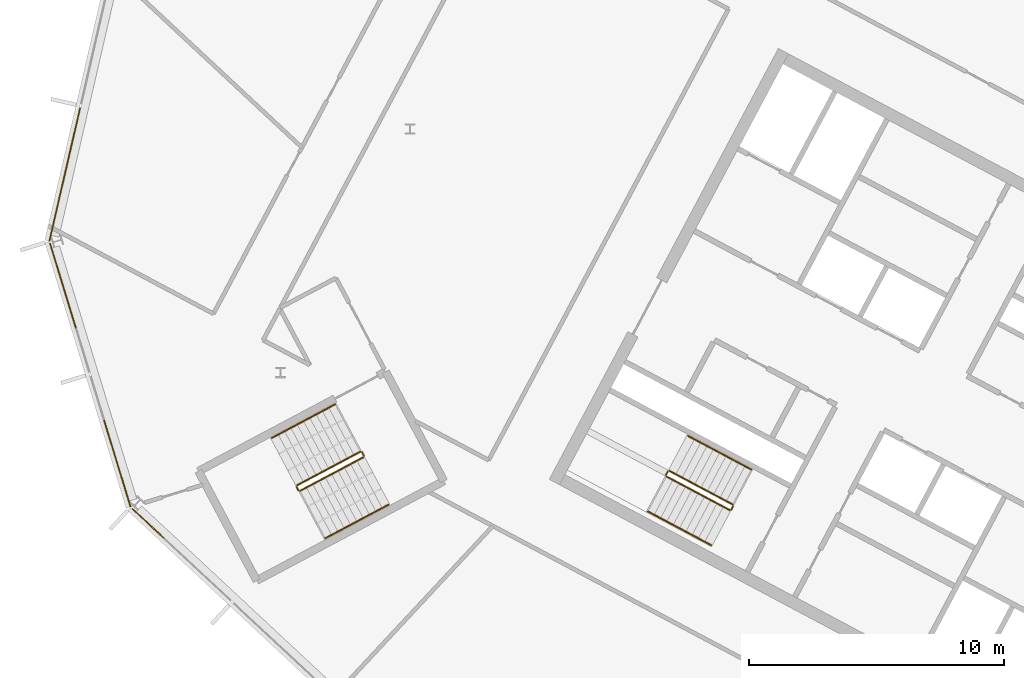
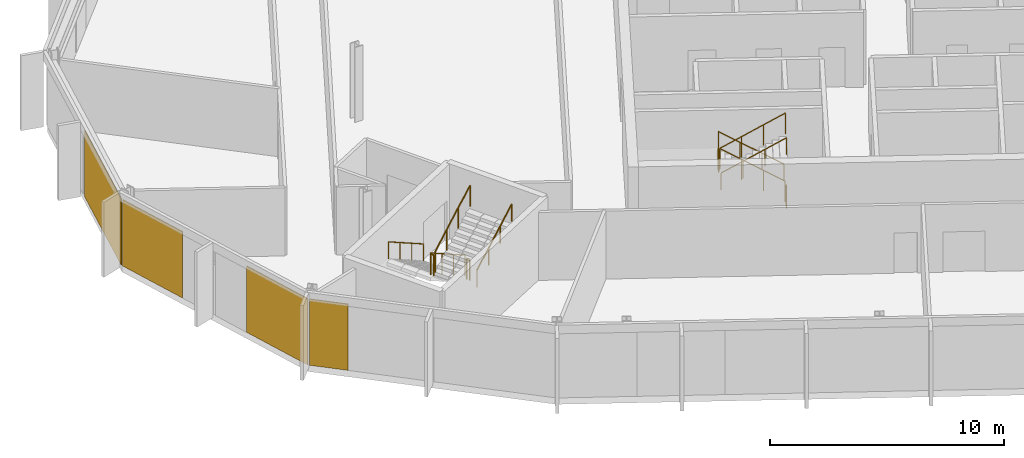
# One storey, part 21 of 26: 12 railings, 4 coverings, 3 elements without a shape of their own.
"""IFC4 building model written with IfcOpenShell, lengths in metres."""

from ifc_helpers import new_model, si_unit, direction, frame, origin, origin_2d, place, context, subcontext, project, spatial, polyline, rectangle, outline, extrude, material, layer, layer_set, type_object, element, aggregate, save


model = new_model("IFC4")

# Units and contexts
model_context = context("Model", 3, precision=1e-05, world=origin(), true_north=direction((0.0, 1.0)))
body_context = subcontext(model_context, "Body", "Model", "MODEL_VIEW")
ifc_project = project(units=[si_unit("LENGTHUNIT", "METRE"), si_unit("AREAUNIT", "SQUARE_METRE"), si_unit("VOLUMEUNIT", "CUBIC_METRE"), si_unit("PLANEANGLEUNIT", "RADIAN"), si_unit("MASSUNIT", "GRAM", prefix="KILO")], contexts=[model_context])

# Site, building, storey
site_placement = place(None, origin())
site = spatial("IfcSite", under=ifc_project, at=site_placement, CompositionType="ELEMENT")
building_placement = place(site_placement, origin())
building = spatial("IfcBuilding", under=site, at=building_placement, Name="Cormorant Relay Tower", CompositionType="ELEMENT")
storey_placement = place(building_placement, frame((0.0, 0.0, 277.5)))
storey = spatial("IfcBuildingStorey", under=building, at=storey_placement, Name="L62", CompositionType="ELEMENT", Elevation=277.5)

# Curtain wall, covering
ifc_material_1 = material(Name="Aluminium 6063-T6 anodised bronze", Category="aluminium")
ifc_layer_1 = layer(ifc_material_1, 0.199951171875)
ifc_layer_set_1 = layer_set([ifc_layer_1], Name="CW1 unitised bronze curtain wall with vertical fins")
curtain_wall_type = type_object("IfcCurtainWallType", Name="CW1 unitised bronze curtain wall with vertical fins", PredefinedType="NOTDEFINED", material=ifc_layer_set_1)
curtain_wall_1_placement = place(storey_placement, origin())
curtain_wall_1 = element("IfcCurtainWall", 1, at=curtain_wall_1_placement, inside=storey, type_object=curtain_wall_type, Name="CW1 curtain wall 13", PredefinedType="NOTDEFINED")
ifc_material_2 = material(Name="Pale bronze anodised aluminium insulated panel", Category="aluminium")
ifc_layer_2 = layer(ifc_material_2, 0.0400390625)
ifc_layer_set_2 = layer_set([ifc_layer_2], Name="CW1 pale bronze insulated panel 40")
covering_type = type_object("IfcCoveringType", Name="CW1 pale bronze insulated panel 40", PredefinedType="CLADDING", material=ifc_layer_set_2)
covering_1_placement = place(storey_placement, frame((-60.136474609375, 23.00927734375, 0.0), z_axis=(0.0, 0.0, 1.0), x_axis=(-0.224951054344, -0.974370064785, 0.0)))
covering_1 = element("IfcCovering", 2, at=covering_1_placement, type_object=covering_type, Name="CW1 panel S01", PredefinedType="CLADDING", context=body_context, shape_type="SweptSolid", body=[
    extrude(rectangle(XDim=5.360107421875, YDim=0.0400390625, at=origin_2d()), origin(), (0.0, 0.0, 1.0), 3.449951171875),
])
aggregate(curtain_wall_1, [covering_1])

# Curtain wall, coverings
curtain_wall_2_placement = place(storey_placement, origin())
curtain_wall_2 = element("IfcCurtainWall", 3, at=curtain_wall_2_placement, inside=storey, type_object=curtain_wall_type, Name="CW1 curtain wall 14", PredefinedType="NOTDEFINED")
covering_2_placement = place(storey_placement, frame((-60.20751953125, 18.6494140625, 0.0), z_axis=(0.0, 0.0, 1.0), x_axis=(0.292371704723, -0.956304755963, 0.0)))
covering_2 = element("IfcCovering", 4, at=covering_2_placement, type_object=covering_type, Name="CW1 panel S00", PredefinedType="CLADDING", context=body_context, shape_type="SweptSolid", body=[
    extrude(rectangle(XDim=3.485107421875, YDim=0.0400390625, at=origin_2d()), origin(), (0.0, 0.0, 1.0), 3.449951171875),
])
covering_3_placement = place(storey_placement, frame((-58.081298828125, 11.6943359375, 0.0), z_axis=(0.0, 0.0, 1.0), x_axis=(0.292371704723, -0.956304755963, 0.0)))
covering_3 = element("IfcCovering", 5, at=covering_3_placement, type_object=covering_type, Name="CW1 panel S03", PredefinedType="CLADDING", context=body_context, shape_type="SweptSolid", body=[
    extrude(rectangle(XDim=3.560302734375, YDim=0.0400390625, at=origin_2d()), origin(), (0.0, 0.0, 1.0), 3.449951171875),
])
aggregate(curtain_wall_2, [covering_2, covering_3])

# Curtain wall, covering
curtain_wall_3_placement = place(storey_placement, origin())
curtain_wall_3 = element("IfcCurtainWall", 6, at=curtain_wall_3_placement, inside=storey, type_object=curtain_wall_type, Name="CW1 curtain wall 15", PredefinedType="NOTDEFINED")
covering_4_placement = place(storey_placement, frame((-56.88427734375, 9.357421875, 0.0), z_axis=(0.0, 0.0, 1.0), x_axis=(0.731353701619, -0.681998360062, 0.0)))
covering_4 = element("IfcCovering", 7, at=covering_4_placement, type_object=covering_type, Name="CW1 panel S00", PredefinedType="CLADDING", context=body_context, shape_type="SweptSolid", body=[
    extrude(rectangle(XDim=1.685302734375, YDim=0.0400390625, at=origin_2d()), origin(), (0.0, 0.0, 1.0), 3.449951171875),
])
aggregate(curtain_wall_3, [covering_4])

# Railings
ifc_material_3 = material(Name="Steel ASTM A572 Grade 50 (Fy 345 MPa)", Category="steel")
railing_type_1 = type_object("IfcRailingType", Name="Stair guard 1100", PredefinedType="GUARDRAIL", material=ifc_material_3)
railing_1_placement = place(storey_placement, frame((-33.9921875, 10.08935546875, 0.17724609375)))
element("IfcRailing", 8, at=railing_1_placement, inside=storey, type_object=railing_type_1, Name="L62 A2 stair guard 1", PredefinedType="GUARDRAIL", context=body_context, shape_type="SweptSolid", body=[
    extrude(outline(polyline([(0.022216796875, 0.00927734375), (0.00927734375, 0.022216796875), (-0.00927734375, 0.022216796875), (-0.022216796875, 0.00927734375), (-0.022216796875, -0.00927734375), (-0.00927734375, -0.022216796875), (0.00927734375, -0.022216796875), (0.022216796875, -0.00927734375), (0.022216796875, 0.00927734375)])), frame((0.0, 0.0, 1.076171875), z_axis=(-0.746001213114, 0.396649272309, 0.534931345884), x_axis=(-0.469465464807, -0.882950835185, 0.0)), (0.0, 0.0, 1.0), 3.31396484375),
    extrude(outline(polyline([(0.019287109375, 0.008056640625), (0.008056640625, 0.019287109375), (-0.008056640625, 0.019287109375), (-0.019287109375, 0.008056640625), (-0.019287109375, -0.008056640625), (-0.008056640625, -0.019287109375), (0.008056640625, -0.019287109375), (0.019287109375, -0.008056640625), (0.019287109375, 0.008056640625)])), origin(), (0.0, 0.0, 1.0), 1.052001953125),
    extrude(outline(polyline([(0.019287109375, 0.008056640625), (0.008056640625, 0.019287109375), (-0.008056640625, 0.019287109375), (-0.019287109375, 0.008056640625), (-0.019287109375, -0.008056640625), (-0.008056640625, -0.019287109375), (0.008056640625, -0.019287109375), (0.019287109375, -0.008056640625), (0.019287109375, 0.008056640625)])), frame((-0.823974609375, 0.438232421875, 0.5908203125)), (0.0, 0.0, 1.0), 1.052001953125),
    extrude(outline(polyline([(0.019287109375, 0.008056640625), (0.008056640625, 0.019287109375), (-0.008056640625, 0.019287109375), (-0.019287109375, 0.008056640625), (-0.019287109375, -0.008056640625), (-0.008056640625, -0.019287109375), (0.008056640625, -0.019287109375), (0.019287109375, -0.008056640625), (0.019287109375, 0.008056640625)])), frame((-1.648193359375, 0.876220703125, 1.181884765625)), (0.0, 0.0, 1.0), 1.052001953125),
    extrude(outline(polyline([(0.019287109375, 0.008056640625), (0.008056640625, 0.019287109375), (-0.008056640625, 0.019287109375), (-0.019287109375, 0.008056640625), (-0.019287109375, -0.008056640625), (-0.008056640625, -0.019287109375), (0.008056640625, -0.019287109375), (0.019287109375, -0.008056640625), (0.019287109375, 0.008056640625)])), frame((-2.47216796875, 1.314453125, 1.772705078125)), (0.0, 0.0, 1.0), 1.052001953125),
])
railing_2_placement = place(storey_placement, frame((-36.531982421875, 11.38330078125, 1.949951171875)))
element("IfcRailing", 9, at=railing_2_placement, inside=storey, type_object=railing_type_1, Name="L62 A2 stair guard 2", PredefinedType="GUARDRAIL", context=body_context, shape_type="SweptSolid", body=[
    extrude(outline(polyline([(0.022216796875, 0.00927734375), (0.00927734375, 0.022216796875), (-0.00927734375, 0.022216796875), (-0.022216796875, 0.00927734375), (-0.022216796875, -0.00927734375), (-0.00927734375, -0.022216796875), (0.00927734375, -0.022216796875), (0.022216796875, -0.00927734375), (0.022216796875, 0.00927734375)])), frame((0.0, 0.0, 1.076171875), z_axis=(-0.469828648786, -0.882757634224, 0.0), x_axis=(0.882757634224, -0.469828648786, 0.0)), (0.0, 0.0, 1.0), 0.150146484375),
    extrude(outline(polyline([(0.019287109375, 0.008056640625), (0.008056640625, 0.019287109375), (-0.008056640625, 0.019287109375), (-0.019287109375, 0.008056640625), (-0.019287109375, -0.008056640625), (-0.008056640625, -0.019287109375), (0.008056640625, -0.019287109375), (0.019287109375, -0.008056640625), (0.019287109375, 0.008056640625)])), origin(), (0.0, 0.0, 1.0), 1.052001953125),
    extrude(outline(polyline([(0.019287109375, 0.008056640625), (0.008056640625, 0.019287109375), (-0.008056640625, 0.019287109375), (-0.019287109375, 0.008056640625), (-0.019287109375, -0.008056640625), (-0.008056640625, -0.019287109375), (0.008056640625, -0.019287109375), (0.019287109375, -0.008056640625), (0.019287109375, 0.008056640625)])), frame((-0.070556640625, -0.132568359375, 0.0)), (0.0, 0.0, 1.0), 1.052001953125),
])
railing_3_placement = place(storey_placement, frame((-36.581787109375, 11.18310546875, 2.127197265625)))
element("IfcRailing", 10, at=railing_3_placement, inside=storey, type_object=railing_type_1, Name="L62 A2 stair guard 3", PredefinedType="GUARDRAIL", context=body_context, shape_type="SweptSolid", body=[
    extrude(outline(polyline([(0.022216796875, 0.00927734375), (0.00927734375, 0.022216796875), (-0.00927734375, 0.022216796875), (-0.022216796875, 0.00927734375), (-0.022216796875, -0.00927734375), (-0.00927734375, -0.022216796875), (0.00927734375, -0.022216796875), (0.022216796875, -0.00927734375), (0.022216796875, 0.00927734375)])), frame((0.0, 0.0, 1.076171875), z_axis=(0.746001213114, -0.396649272309, 0.534931345884), x_axis=(0.469465464807, 0.882950835185, 0.0)), (0.0, 0.0, 1.0), 3.31396484375),
    extrude(outline(polyline([(0.019287109375, 0.008056640625), (0.008056640625, 0.019287109375), (-0.008056640625, 0.019287109375), (-0.019287109375, 0.008056640625), (-0.019287109375, -0.008056640625), (-0.008056640625, -0.019287109375), (0.008056640625, -0.019287109375), (0.019287109375, -0.008056640625), (0.019287109375, 0.008056640625)])), origin(), (0.0, 0.0, 1.0), 1.052001953125),
    extrude(outline(polyline([(0.019287109375, 0.008056640625), (0.008056640625, 0.019287109375), (-0.008056640625, 0.019287109375), (-0.019287109375, 0.008056640625), (-0.019287109375, -0.008056640625), (-0.008056640625, -0.019287109375), (0.008056640625, -0.019287109375), (0.019287109375, -0.008056640625), (0.019287109375, 0.008056640625)])), frame((0.823974609375, -0.438232421875, 0.5908203125)), (0.0, 0.0, 1.0), 1.052001953125),
    extrude(outline(polyline([(0.019287109375, 0.008056640625), (0.008056640625, 0.019287109375), (-0.008056640625, 0.019287109375), (-0.019287109375, 0.008056640625), (-0.019287109375, -0.008056640625), (-0.008056640625, -0.019287109375), (0.008056640625, -0.019287109375), (0.019287109375, -0.008056640625), (0.019287109375, 0.008056640625)])), frame((1.648193359375, -0.876220703125, 1.181884765625)), (0.0, 0.0, 1.0), 1.052001953125),
    extrude(outline(polyline([(0.019287109375, 0.008056640625), (0.008056640625, 0.019287109375), (-0.008056640625, 0.019287109375), (-0.019287109375, 0.008056640625), (-0.019287109375, -0.008056640625), (-0.008056640625, -0.019287109375), (0.008056640625, -0.019287109375), (0.019287109375, -0.008056640625), (0.019287109375, 0.008056640625)])), frame((2.47216796875, -1.314453125, 1.772705078125)), (0.0, 0.0, 1.0), 1.052001953125),
])
railing_4_placement = place(storey_placement, frame((-33.971435546875, 10.021728515625, 0.0)))
element("IfcRailing", 11, at=railing_4_placement, inside=storey, type_object=railing_type_1, Name="L62 A2 stair guard 4", PredefinedType="GUARDRAIL", context=body_context, shape_type="SweptSolid", body=[
    extrude(outline(polyline([(0.022216796875, 0.00927734375), (0.00927734375, 0.022216796875), (-0.00927734375, 0.022216796875), (-0.022216796875, 0.00927734375), (-0.022216796875, -0.00927734375), (-0.00927734375, -0.022216796875), (0.00927734375, -0.022216796875), (0.022216796875, -0.00927734375), (0.022216796875, 0.00927734375)])), frame((0.0, 0.0, 1.076171875), z_axis=(-0.470503732759, -0.882398003998, 0.0), x_axis=(0.882398003998, -0.470503732759, 0.0)), (0.0, 0.0, 1.0), 0.14990234375),
    extrude(outline(polyline([(0.019287109375, 0.008056640625), (0.008056640625, 0.019287109375), (-0.008056640625, 0.019287109375), (-0.019287109375, 0.008056640625), (-0.019287109375, -0.008056640625), (-0.008056640625, -0.019287109375), (0.008056640625, -0.019287109375), (0.019287109375, -0.008056640625), (0.019287109375, 0.008056640625)])), origin(), (0.0, 0.0, 1.0), 1.052001953125),
    extrude(outline(polyline([(0.019287109375, 0.008056640625), (0.008056640625, 0.019287109375), (-0.008056640625, 0.019287109375), (-0.019287109375, 0.008056640625), (-0.019287109375, -0.008056640625), (-0.008056640625, -0.019287109375), (0.008056640625, -0.019287109375), (0.019287109375, -0.008056640625), (0.019287109375, 0.008056640625)])), frame((-0.070556640625, -0.13232421875, 0.0)), (0.0, 0.0, 1.0), 1.052001953125),
])
railing_5_placement = place(storey_placement, frame((-48.5693359375, 12.155517578125, 0.17724609375)))
element("IfcRailing", 12, at=railing_5_placement, inside=storey, type_object=railing_type_1, Name="L62 RP1 stair guard 1", PredefinedType="GUARDRAIL", context=body_context, shape_type="SweptSolid", body=[
    extrude(outline(polyline([(0.022216796875, 0.00927734375), (0.00927734375, 0.022216796875), (-0.00927734375, 0.022216796875), (-0.022216796875, 0.00927734375), (-0.022216796875, -0.00927734375), (-0.00927734375, -0.022216796875), (0.00927734375, -0.022216796875), (0.022216796875, -0.00927734375), (0.022216796875, 0.00927734375)])), frame((0.0, 0.0, 1.076171875), z_axis=(-0.746012083385, -0.396689549623, 0.534886317514), x_axis=(0.469497295046, -0.882933910293, 0.0)), (0.0, 0.0, 1.0), 3.314208984375),
    extrude(outline(polyline([(0.019287109375, 0.008056640625), (0.008056640625, 0.019287109375), (-0.008056640625, 0.019287109375), (-0.019287109375, 0.008056640625), (-0.019287109375, -0.008056640625), (-0.008056640625, -0.019287109375), (0.008056640625, -0.019287109375), (0.019287109375, -0.008056640625), (0.019287109375, 0.008056640625)])), origin(), (0.0, 0.0, 1.0), 1.052001953125),
    extrude(outline(polyline([(0.019287109375, 0.008056640625), (0.008056640625, 0.019287109375), (-0.008056640625, 0.019287109375), (-0.019287109375, 0.008056640625), (-0.019287109375, -0.008056640625), (-0.008056640625, -0.019287109375), (0.008056640625, -0.019287109375), (0.019287109375, -0.008056640625), (0.019287109375, 0.008056640625)])), frame((-0.82421875, -0.438232421875, 0.5908203125)), (0.0, 0.0, 1.0), 1.052001953125),
    extrude(outline(polyline([(0.019287109375, 0.008056640625), (0.008056640625, 0.019287109375), (-0.008056640625, 0.019287109375), (-0.019287109375, 0.008056640625), (-0.019287109375, -0.008056640625), (-0.008056640625, -0.019287109375), (0.008056640625, -0.019287109375), (0.019287109375, -0.008056640625), (0.019287109375, 0.008056640625)])), frame((-1.648193359375, -0.87646484375, 1.181884765625)), (0.0, 0.0, 1.0), 1.052001953125),
    extrude(outline(polyline([(0.019287109375, 0.008056640625), (0.008056640625, 0.019287109375), (-0.008056640625, 0.019287109375), (-0.019287109375, 0.008056640625), (-0.019287109375, -0.008056640625), (-0.008056640625, -0.019287109375), (0.008056640625, -0.019287109375), (0.019287109375, -0.008056640625), (0.019287109375, 0.008056640625)])), frame((-2.472412109375, -1.314697265625, 1.772705078125)), (0.0, 0.0, 1.0), 1.052001953125),
])
railing_6_placement = place(storey_placement, frame((-51.062255859375, 10.773193359375, 1.949951171875)))
element("IfcRailing", 13, at=railing_6_placement, inside=storey, type_object=railing_type_1, Name="L62 RP1 stair guard 2", PredefinedType="GUARDRAIL", context=body_context, shape_type="SweptSolid", body=[
    extrude(outline(polyline([(0.022216796875, 0.00927734375), (0.00927734375, 0.022216796875), (-0.00927734375, 0.022216796875), (-0.022216796875, 0.00927734375), (-0.022216796875, -0.00927734375), (-0.00927734375, -0.022216796875), (0.00927734375, -0.022216796875), (0.022216796875, -0.00927734375), (0.022216796875, 0.00927734375)])), frame((0.0, 0.0, 1.076171875), z_axis=(0.469234640946, -0.883073525669, 0.0), x_axis=(0.883073525669, 0.469234640946, 0.0)), (0.0, 0.0, 1.0), 0.14990234375),
    extrude(outline(polyline([(0.019287109375, 0.008056640625), (0.008056640625, 0.019287109375), (-0.008056640625, 0.019287109375), (-0.019287109375, 0.008056640625), (-0.019287109375, -0.008056640625), (-0.008056640625, -0.019287109375), (0.008056640625, -0.019287109375), (0.019287109375, -0.008056640625), (0.019287109375, 0.008056640625)])), origin(), (0.0, 0.0, 1.0), 1.052001953125),
    extrude(outline(polyline([(0.019287109375, 0.008056640625), (0.008056640625, 0.019287109375), (-0.008056640625, 0.019287109375), (-0.019287109375, 0.008056640625), (-0.019287109375, -0.008056640625), (-0.008056640625, -0.019287109375), (0.008056640625, -0.019287109375), (0.019287109375, -0.008056640625), (0.019287109375, 0.008056640625)])), frame((0.0703125, -0.13232421875, 0.0)), (0.0, 0.0, 1.0), 1.052001953125),
])
railing_7_placement = place(storey_placement, frame((-50.92431640625, 10.6201171875, 2.127197265625)))
element("IfcRailing", 14, at=railing_7_placement, inside=storey, type_object=railing_type_1, Name="L62 RP1 stair guard 3", PredefinedType="GUARDRAIL", context=body_context, shape_type="SweptSolid", body=[
    extrude(outline(polyline([(0.022216796875, 0.00927734375), (0.00927734375, 0.022216796875), (-0.00927734375, 0.022216796875), (-0.022216796875, 0.00927734375), (-0.022216796875, -0.00927734375), (-0.00927734375, -0.022216796875), (0.00927734375, -0.022216796875), (0.022216796875, -0.00927734375), (0.022216796875, 0.00927734375)])), frame((0.0, 0.0, 1.076171875), z_axis=(0.746033882577, 0.396627473466, 0.534901947407), x_axis=(-0.469429322983, 0.882970050864, 0.0)), (0.0, 0.0, 1.0), 3.31396484375),
    extrude(outline(polyline([(0.019287109375, 0.008056640625), (0.008056640625, 0.019287109375), (-0.008056640625, 0.019287109375), (-0.019287109375, 0.008056640625), (-0.019287109375, -0.008056640625), (-0.008056640625, -0.019287109375), (0.008056640625, -0.019287109375), (0.019287109375, -0.008056640625), (0.019287109375, 0.008056640625)])), origin(), (0.0, 0.0, 1.0), 1.052001953125),
    extrude(outline(polyline([(0.019287109375, 0.008056640625), (0.008056640625, 0.019287109375), (-0.008056640625, 0.019287109375), (-0.019287109375, 0.008056640625), (-0.019287109375, -0.008056640625), (-0.008056640625, -0.019287109375), (0.008056640625, -0.019287109375), (0.019287109375, -0.008056640625), (0.019287109375, 0.008056640625)])), frame((0.82421875, 0.438232421875, 0.5908203125)), (0.0, 0.0, 1.0), 1.052001953125),
    extrude(outline(polyline([(0.019287109375, 0.008056640625), (0.008056640625, 0.019287109375), (-0.008056640625, 0.019287109375), (-0.019287109375, 0.008056640625), (-0.019287109375, -0.008056640625), (-0.008056640625, -0.019287109375), (0.008056640625, -0.019287109375), (0.019287109375, -0.008056640625), (0.019287109375, 0.008056640625)])), frame((1.648193359375, 0.876220703125, 1.181884765625)), (0.0, 0.0, 1.0), 1.052001953125),
    extrude(outline(polyline([(0.019287109375, 0.008056640625), (0.008056640625, 0.019287109375), (-0.008056640625, 0.019287109375), (-0.019287109375, 0.008056640625), (-0.019287109375, -0.008056640625), (-0.008056640625, -0.019287109375), (0.008056640625, -0.019287109375), (0.019287109375, -0.008056640625), (0.019287109375, 0.008056640625)])), frame((2.472412109375, 1.314453125, 1.772705078125)), (0.0, 0.0, 1.0), 1.052001953125),
])
railing_8_placement = place(storey_placement, frame((-48.501708984375, 12.134765625, 0.0)))
element("IfcRailing", 15, at=railing_8_placement, inside=storey, type_object=railing_type_1, Name="L62 RP1 stair guard 4", PredefinedType="GUARDRAIL", context=body_context, shape_type="SweptSolid", body=[
    extrude(outline(polyline([(0.022216796875, 0.00927734375), (0.00927734375, 0.022216796875), (-0.00927734375, 0.022216796875), (-0.022216796875, 0.00927734375), (-0.022216796875, -0.00927734375), (-0.00927734375, -0.022216796875), (0.00927734375, -0.022216796875), (0.022216796875, -0.00927734375), (0.022216796875, 0.00927734375)])), frame((0.0, 0.0, 1.076171875), z_axis=(0.46856034887, -0.8834314911, 0.0), x_axis=(0.8834314911, 0.46856034887, 0.0)), (0.0, 0.0, 1.0), 0.150146484375),
    extrude(outline(polyline([(0.019287109375, 0.008056640625), (0.008056640625, 0.019287109375), (-0.008056640625, 0.019287109375), (-0.019287109375, 0.008056640625), (-0.019287109375, -0.008056640625), (-0.008056640625, -0.019287109375), (0.008056640625, -0.019287109375), (0.019287109375, -0.008056640625), (0.019287109375, 0.008056640625)])), origin(), (0.0, 0.0, 1.0), 1.052001953125),
    extrude(outline(polyline([(0.019287109375, 0.008056640625), (0.008056640625, 0.019287109375), (-0.008056640625, 0.019287109375), (-0.019287109375, 0.008056640625), (-0.019287109375, -0.008056640625), (-0.008056640625, -0.019287109375), (0.008056640625, -0.019287109375), (0.019287109375, -0.008056640625), (0.019287109375, 0.008056640625)])), frame((0.0703125, -0.132568359375, 0.0)), (0.0, 0.0, 1.0), 1.052001953125),
])
ifc_material_4 = material(Name="Steel ASTM A572 Grade 50 (Fy 345 MPa)", Category="steel")
railing_type_2 = type_object("IfcRailingType", Name="Stair handrail 900", PredefinedType="HANDRAIL", material=ifc_material_4)
railing_9_placement = place(storey_placement, frame((-33.264404296875, 11.4580078125, 0.17724609375)))
element("IfcRailing", 16, at=railing_9_placement, inside=storey, type_object=railing_type_2, Name="L62 A2 stair handrail 1", PredefinedType="HANDRAIL", context=body_context, shape_type="SweptSolid", body=[
    extrude(outline(polyline([(0.022216796875, 0.00927734375), (0.00927734375, 0.022216796875), (-0.00927734375, 0.022216796875), (-0.022216796875, 0.00927734375), (-0.022216796875, -0.00927734375), (-0.00927734375, -0.022216796875), (0.00927734375, -0.022216796875), (0.022216796875, -0.00927734375), (0.022216796875, 0.00927734375)])), frame((0.0, 0.0, 0.8759765625), z_axis=(-0.746033882577, 0.396627473466, 0.534901947407), x_axis=(-0.469429322983, -0.882970050864, 0.0)), (0.0, 0.0, 1.0), 3.31396484375),
    extrude(outline(polyline([(0.019287109375, 0.008056640625), (0.008056640625, 0.019287109375), (-0.008056640625, 0.019287109375), (-0.019287109375, 0.008056640625), (-0.019287109375, -0.008056640625), (-0.008056640625, -0.019287109375), (0.008056640625, -0.019287109375), (0.019287109375, -0.008056640625), (0.019287109375, 0.008056640625)])), origin(), (0.0, 0.0, 1.0), 0.851806640625),
    extrude(outline(polyline([(0.019287109375, 0.008056640625), (0.008056640625, 0.019287109375), (-0.008056640625, 0.019287109375), (-0.019287109375, 0.008056640625), (-0.019287109375, -0.008056640625), (-0.008056640625, -0.019287109375), (0.008056640625, -0.019287109375), (0.019287109375, -0.008056640625), (0.019287109375, 0.008056640625)])), frame((-0.82421875, 0.438232421875, 0.5908203125)), (0.0, 0.0, 1.0), 0.851806640625),
    extrude(outline(polyline([(0.019287109375, 0.008056640625), (0.008056640625, 0.019287109375), (-0.008056640625, 0.019287109375), (-0.019287109375, 0.008056640625), (-0.019287109375, -0.008056640625), (-0.008056640625, -0.019287109375), (0.008056640625, -0.019287109375), (0.019287109375, -0.008056640625), (0.019287109375, 0.008056640625)])), frame((-1.648193359375, 0.876220703125, 1.181884765625)), (0.0, 0.0, 1.0), 0.851806640625),
    extrude(outline(polyline([(0.019287109375, 0.008056640625), (0.008056640625, 0.019287109375), (-0.008056640625, 0.019287109375), (-0.019287109375, 0.008056640625), (-0.019287109375, -0.008056640625), (-0.008056640625, -0.019287109375), (0.008056640625, -0.019287109375), (0.019287109375, -0.008056640625), (0.019287109375, 0.008056640625)])), frame((-2.472412109375, 1.314453125, 1.772705078125)), (0.0, 0.0, 1.0), 0.851806640625),
])
railing_10_placement = place(storey_placement, frame((-37.3095703125, 9.814453125, 2.127197265625)))
element("IfcRailing", 17, at=railing_10_placement, inside=storey, type_object=railing_type_2, Name="L62 A2 stair handrail 2", PredefinedType="HANDRAIL", context=body_context, shape_type="SweptSolid", body=[
    extrude(outline(polyline([(0.022216796875, 0.00927734375), (0.00927734375, 0.022216796875), (-0.00927734375, 0.022216796875), (-0.022216796875, 0.00927734375), (-0.022216796875, -0.00927734375), (-0.00927734375, -0.022216796875), (0.00927734375, -0.022216796875), (0.022216796875, -0.00927734375), (0.022216796875, 0.00927734375)])), frame((0.0, 0.0, 0.8759765625), z_axis=(0.746033882577, -0.396627473466, 0.534901947407), x_axis=(0.469429322983, 0.882970050864, 0.0)), (0.0, 0.0, 1.0), 3.31396484375),
    extrude(outline(polyline([(0.019287109375, 0.008056640625), (0.008056640625, 0.019287109375), (-0.008056640625, 0.019287109375), (-0.019287109375, 0.008056640625), (-0.019287109375, -0.008056640625), (-0.008056640625, -0.019287109375), (0.008056640625, -0.019287109375), (0.019287109375, -0.008056640625), (0.019287109375, 0.008056640625)])), origin(), (0.0, 0.0, 1.0), 0.851806640625),
    extrude(outline(polyline([(0.019287109375, 0.008056640625), (0.008056640625, 0.019287109375), (-0.008056640625, 0.019287109375), (-0.019287109375, 0.008056640625), (-0.019287109375, -0.008056640625), (-0.008056640625, -0.019287109375), (0.008056640625, -0.019287109375), (0.019287109375, -0.008056640625), (0.019287109375, 0.008056640625)])), frame((0.82421875, -0.438232421875, 0.5908203125)), (0.0, 0.0, 1.0), 0.851806640625),
    extrude(outline(polyline([(0.019287109375, 0.008056640625), (0.008056640625, 0.019287109375), (-0.008056640625, 0.019287109375), (-0.019287109375, 0.008056640625), (-0.019287109375, -0.008056640625), (-0.008056640625, -0.019287109375), (0.008056640625, -0.019287109375), (0.019287109375, -0.008056640625), (0.019287109375, 0.008056640625)])), frame((1.648193359375, -0.876220703125, 1.181884765625)), (0.0, 0.0, 1.0), 0.851806640625),
    extrude(outline(polyline([(0.019287109375, 0.008056640625), (0.008056640625, 0.019287109375), (-0.008056640625, 0.019287109375), (-0.019287109375, 0.008056640625), (-0.019287109375, -0.008056640625), (-0.008056640625, -0.019287109375), (0.008056640625, -0.019287109375), (0.019287109375, -0.008056640625), (0.019287109375, 0.008056640625)])), frame((2.472412109375, -1.314453125, 1.772705078125)), (0.0, 0.0, 1.0), 0.851806640625),
])
railing_11_placement = place(storey_placement, frame((-49.55517578125, 14.009521484375, 0.17724609375)))
element("IfcRailing", 18, at=railing_11_placement, inside=storey, type_object=railing_type_2, Name="L62 RP1 stair handrail 1", PredefinedType="HANDRAIL", context=body_context, shape_type="SweptSolid", body=[
    extrude(outline(polyline([(0.022216796875, 0.00927734375), (0.00927734375, 0.022216796875), (-0.00927734375, 0.022216796875), (-0.022216796875, 0.00927734375), (-0.022216796875, -0.00927734375), (-0.00927734375, -0.022216796875), (0.00927734375, -0.022216796875), (0.022216796875, -0.00927734375), (0.022216796875, 0.00927734375)])), frame((0.0, 0.0, 0.8759765625), z_axis=(-0.746033882577, -0.396627473466, 0.534901947407), x_axis=(0.469429322983, -0.882970050864, 0.0)), (0.0, 0.0, 1.0), 3.31396484375),
    extrude(outline(polyline([(0.019287109375, 0.008056640625), (0.008056640625, 0.019287109375), (-0.008056640625, 0.019287109375), (-0.019287109375, 0.008056640625), (-0.019287109375, -0.008056640625), (-0.008056640625, -0.019287109375), (0.008056640625, -0.019287109375), (0.019287109375, -0.008056640625), (0.019287109375, 0.008056640625)])), origin(), (0.0, 0.0, 1.0), 0.851806640625),
    extrude(outline(polyline([(0.019287109375, 0.008056640625), (0.008056640625, 0.019287109375), (-0.008056640625, 0.019287109375), (-0.019287109375, 0.008056640625), (-0.019287109375, -0.008056640625), (-0.008056640625, -0.019287109375), (0.008056640625, -0.019287109375), (0.019287109375, -0.008056640625), (0.019287109375, 0.008056640625)])), frame((-0.82421875, -0.438232421875, 0.5908203125)), (0.0, 0.0, 1.0), 0.851806640625),
    extrude(outline(polyline([(0.019287109375, 0.008056640625), (0.008056640625, 0.019287109375), (-0.008056640625, 0.019287109375), (-0.019287109375, 0.008056640625), (-0.019287109375, -0.008056640625), (-0.008056640625, -0.019287109375), (0.008056640625, -0.019287109375), (0.019287109375, -0.008056640625), (0.019287109375, 0.008056640625)])), frame((-1.648193359375, -0.876220703125, 1.181884765625)), (0.0, 0.0, 1.0), 0.851806640625),
    extrude(outline(polyline([(0.019287109375, 0.008056640625), (0.008056640625, 0.019287109375), (-0.008056640625, 0.019287109375), (-0.019287109375, 0.008056640625), (-0.019287109375, -0.008056640625), (-0.008056640625, -0.019287109375), (0.008056640625, -0.019287109375), (0.019287109375, -0.008056640625), (0.019287109375, 0.008056640625)])), frame((-2.472412109375, -1.314453125, 1.772705078125)), (0.0, 0.0, 1.0), 0.851806640625),
])
railing_12_placement = place(storey_placement, frame((-49.9384765625, 8.765869140625, 2.127197265625)))
element("IfcRailing", 19, at=railing_12_placement, inside=storey, type_object=railing_type_2, Name="L62 RP1 stair handrail 2", PredefinedType="HANDRAIL", context=body_context, shape_type="SweptSolid", body=[
    extrude(outline(polyline([(0.022216796875, 0.00927734375), (0.00927734375, 0.022216796875), (-0.00927734375, 0.022216796875), (-0.022216796875, 0.00927734375), (-0.022216796875, -0.00927734375), (-0.00927734375, -0.022216796875), (0.00927734375, -0.022216796875), (0.022216796875, -0.00927734375), (0.022216796875, 0.00927734375)])), frame((0.0, 0.0, 0.8759765625), z_axis=(0.746012083385, 0.396689549623, 0.534886317514), x_axis=(-0.469497295046, 0.882933910293, 0.0)), (0.0, 0.0, 1.0), 3.314208984375),
    extrude(outline(polyline([(0.019287109375, 0.008056640625), (0.008056640625, 0.019287109375), (-0.008056640625, 0.019287109375), (-0.019287109375, 0.008056640625), (-0.019287109375, -0.008056640625), (-0.008056640625, -0.019287109375), (0.008056640625, -0.019287109375), (0.019287109375, -0.008056640625), (0.019287109375, 0.008056640625)])), origin(), (0.0, 0.0, 1.0), 0.851806640625),
    extrude(outline(polyline([(0.019287109375, 0.008056640625), (0.008056640625, 0.019287109375), (-0.008056640625, 0.019287109375), (-0.019287109375, 0.008056640625), (-0.019287109375, -0.008056640625), (-0.008056640625, -0.019287109375), (0.008056640625, -0.019287109375), (0.019287109375, -0.008056640625), (0.019287109375, 0.008056640625)])), frame((0.82421875, 0.438232421875, 0.5908203125)), (0.0, 0.0, 1.0), 0.851806640625),
    extrude(outline(polyline([(0.019287109375, 0.008056640625), (0.008056640625, 0.019287109375), (-0.008056640625, 0.019287109375), (-0.019287109375, 0.008056640625), (-0.019287109375, -0.008056640625), (-0.008056640625, -0.019287109375), (0.008056640625, -0.019287109375), (0.019287109375, -0.008056640625), (0.019287109375, 0.008056640625)])), frame((1.648193359375, 0.87646484375, 1.181884765625)), (0.0, 0.0, 1.0), 0.851806640625),
    extrude(outline(polyline([(0.019287109375, 0.008056640625), (0.008056640625, 0.019287109375), (-0.008056640625, 0.019287109375), (-0.019287109375, 0.008056640625), (-0.019287109375, -0.008056640625), (-0.008056640625, -0.019287109375), (0.008056640625, -0.019287109375), (0.019287109375, -0.008056640625), (0.019287109375, 0.008056640625)])), frame((2.472412109375, 1.314697265625, 1.772705078125)), (0.0, 0.0, 1.0), 0.851806640625),
])

save(model, "model.ifc")
